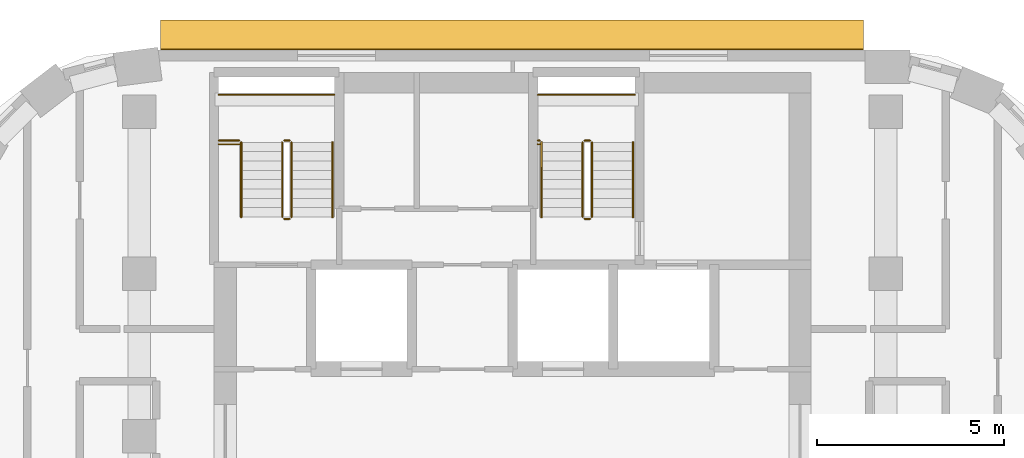
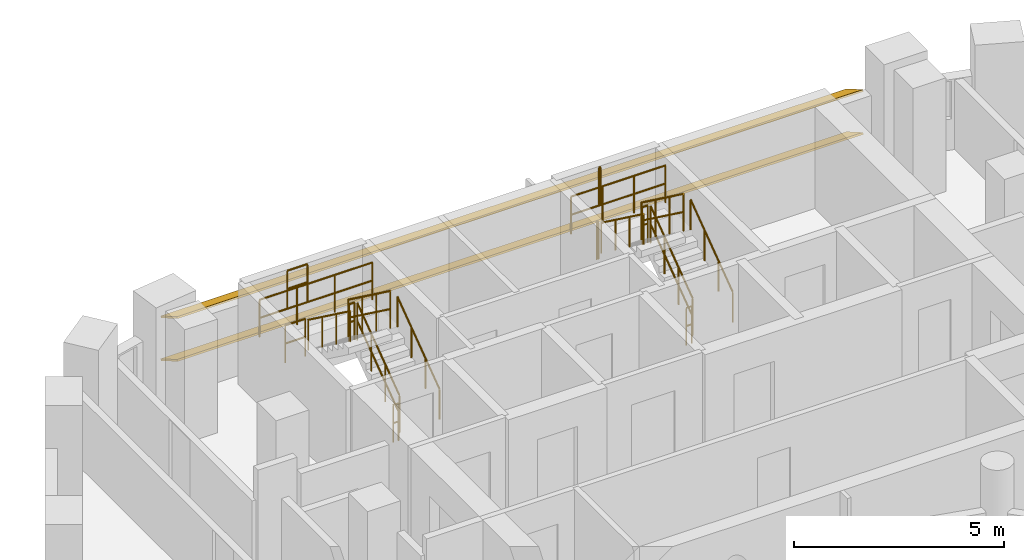
# One storey, part 15 of 15: 18 railings, 2 shading devices.
"""IFC4 building model written with IfcOpenShell, lengths in metres."""

from ifc_helpers import new_model, si_unit, direction, frame, origin, origin_2d, place, context, subcontext, project, spatial, rectangle, circle, extrude, material, material_profile, profile_set, type_object, element, save


model = new_model("IFC4")

# Units and contexts
model_context = context("Model", 3, precision=1e-05, world=origin(), true_north=direction((0.0, 1.0)))
body_context = subcontext(model_context, "Body", "Model", "MODEL_VIEW")
ifc_project = project(units=[si_unit("LENGTHUNIT", "METRE"), si_unit("AREAUNIT", "SQUARE_METRE"), si_unit("VOLUMEUNIT", "CUBIC_METRE"), si_unit("PLANEANGLEUNIT", "RADIAN"), si_unit("MASSUNIT", "GRAM", prefix="KILO")], contexts=[model_context])

# Site, building, storey
site_placement = place(None, origin())
site = spatial("IfcSite", under=ifc_project, at=site_placement, CompositionType="ELEMENT")
building_placement = place(site_placement, origin())
building = spatial("IfcBuilding", under=site, at=building_placement, Name="Nakaniwa Court", CompositionType="ELEMENT")
storey_placement = place(building_placement, frame((0.0, 0.0, 216.300048828125)))
storey = spatial("IfcBuildingStorey", under=building, at=storey_placement, Name="L57", CompositionType="ELEMENT", Elevation=216.300048828125)

# Shading devices
ifc_material_1 = material(Name="Perforated charcoal ceramic louvre blade")
ifc_material_profile = material_profile(ifc_material_1, rectangle(XDim=0.89990234375, YDim=0.050048828125, at=origin_2d()), Name="Perforated ceramic louvre blade")
ifc_profile_set = profile_set([ifc_material_profile], Name="Perforated charcoal ceramic louvre blade")
shading_device_type = type_object("IfcShadingDeviceType", Name="Perforated ceramic louvre blade", PredefinedType="JALOUSIE", material=ifc_profile_set)
for number, where, z_axis, x_axis, name in (
    (1, (89.3994140625, 103.05224609375, 0.550048828125), (-1.0, 0.0, 0.0), (0.0, -0.866025403784, 0.5), "L57 perforated ceramic louvre blade w08 1"),
    (2, (89.3994140625, 103.05224609375, 1.793212890625), (-1.0, 0.0, 0.0), (0.0, -0.866025403784, 0.5), "L57 perforated ceramic louvre blade w08 2"),
):
    element("IfcShadingDevice", number, at=place(storey_placement, frame(where, z_axis=z_axis, x_axis=x_axis)), inside=storey, type_object=shading_device_type, Name=name, PredefinedType="JALOUSIE", context=body_context, shape_type="SweptSolid", body=[
        extrude(rectangle(XDim=0.89990234375, YDim=0.050048828125, at=origin_2d()), origin(), (0.0, 0.0, 1.0), 18.8330078125),
    ])

# Railings
ifc_material_2 = material(Name="Black powder coated steel guard", Category="steel")
railing_type_1 = type_object("IfcRailingType", Name="Stair guard 1100", PredefinedType="GUARDRAIL", material=ifc_material_2)
railing_1_placement = place(storey_placement, frame((74.074951171875, 98.175048828125, 0.183349609375)))
element("IfcRailing", 3, at=railing_1_placement, inside=storey, type_object=railing_type_1, Name="L57 ST1 stair guard 1", PredefinedType="GUARDRAIL", context=body_context, shape_type="SweptSolid", body=[
    extrude(circle(Radius=0.02392578125, at=origin_2d()), frame((0.0, 0.0, 1.076171875), z_axis=(0.0, 0.806426902644, 0.591333789573), x_axis=(-1.0, 0.0, 0.0)), (0.0, 0.0, 1.0), 2.47998046875),
    extrude(circle(Radius=0.02392578125, at=origin_2d()), frame((0.0, 0.0, 0.550048828125), z_axis=(0.0, 0.806426902644, 0.591333789573), x_axis=(-1.0, 0.0, 0.0)), (0.0, 0.0, 1.0), 2.47998046875),
    extrude(circle(Radius=0.02099609375, at=origin_2d()), origin(), (0.0, 0.0, 1.0), 1.052001953125),
    extrude(circle(Radius=0.02099609375, at=origin_2d()), frame((0.0, 0.666748046875, 0.48876953125)), (0.0, 0.0, 1.0), 1.052001953125),
    extrude(circle(Radius=0.02099609375, at=origin_2d()), frame((0.0, 1.333251953125, 0.977783203125)), (0.0, 0.0, 1.0), 1.052001953125),
    extrude(circle(Radius=0.02099609375, at=origin_2d()), frame((0.0, 2.0, 1.466552734375)), (0.0, 0.0, 1.0), 1.052001953125),
])
railing_2_placement = place(storey_placement, frame((74.02490234375, 100.22509765625, 1.64990234375)))
element("IfcRailing", 4, at=railing_2_placement, inside=storey, type_object=railing_type_1, Name="L57 ST1 stair guard 2", PredefinedType="GUARDRAIL", context=body_context, shape_type="SweptSolid", body=[
    extrude(circle(Radius=0.02392578125, at=origin_2d()), frame((0.0, 0.0, 1.076171875), z_axis=(-1.0, 0.0, 0.0), x_axis=(0.0, -1.0, 0.0)), (0.0, 0.0, 1.0), 0.14990234375),
    extrude(circle(Radius=0.02392578125, at=origin_2d()), frame((0.0, 0.0, 0.550048828125), z_axis=(-1.0, 0.0, 0.0), x_axis=(0.0, -1.0, 0.0)), (0.0, 0.0, 1.0), 0.14990234375),
    extrude(circle(Radius=0.02099609375, at=origin_2d()), origin(), (0.0, 0.0, 1.0), 1.052001953125),
    extrude(circle(Radius=0.02099609375, at=origin_2d()), frame((-0.14990234375, 0.0, 0.0)), (0.0, 0.0, 1.0), 1.052001953125),
])
railing_3_placement = place(storey_placement, frame((73.824951171875, 100.175048828125, 1.833251953125)))
element("IfcRailing", 5, at=railing_3_placement, inside=storey, type_object=railing_type_1, Name="L57 ST1 stair guard 3", PredefinedType="GUARDRAIL", context=body_context, shape_type="SweptSolid", body=[
    extrude(circle(Radius=0.02392578125, at=origin_2d()), frame((0.0, 0.0, 1.076171875), z_axis=(0.0, -0.806379959628, 0.591397802423), x_axis=(1.0, 0.0, 0.0)), (0.0, 0.0, 1.0), 2.480224609375),
    extrude(circle(Radius=0.02392578125, at=origin_2d()), frame((0.0, 0.0, 0.550048828125), z_axis=(0.0, -0.806379959628, 0.591397802423), x_axis=(1.0, 0.0, 0.0)), (0.0, 0.0, 1.0), 2.480224609375),
    extrude(circle(Radius=0.02099609375, at=origin_2d()), origin(), (0.0, 0.0, 1.0), 1.052001953125),
    extrude(circle(Radius=0.02099609375, at=origin_2d()), frame((0.0, -0.666748046875, 0.489013671875)), (0.0, 0.0, 1.0), 1.052001953125),
    extrude(circle(Radius=0.02099609375, at=origin_2d()), frame((0.0, -1.333251953125, 0.977783203125)), (0.0, 0.0, 1.0), 1.052001953125),
    extrude(circle(Radius=0.02099609375, at=origin_2d()), frame((0.0, -2.0, 1.466796875)), (0.0, 0.0, 1.0), 1.052001953125),
])
railing_4_placement = place(storey_placement, frame((74.02490234375, 98.125, 0.0)))
element("IfcRailing", 6, at=railing_4_placement, inside=storey, type_object=railing_type_1, Name="L57 ST1 stair guard 4", PredefinedType="GUARDRAIL", context=body_context, shape_type="SweptSolid", body=[
    extrude(circle(Radius=0.02392578125, at=origin_2d()), frame((0.0, 0.0, 1.076171875), z_axis=(-1.0, 0.0, 0.0), x_axis=(0.0, -1.0, 0.0)), (0.0, 0.0, 1.0), 0.14990234375),
    extrude(circle(Radius=0.02392578125, at=origin_2d()), frame((0.0, 0.0, 0.550048828125), z_axis=(-1.0, 0.0, 0.0), x_axis=(0.0, -1.0, 0.0)), (0.0, 0.0, 1.0), 0.14990234375),
    extrude(circle(Radius=0.02099609375, at=origin_2d()), origin(), (0.0, 0.0, 1.0), 1.052001953125),
    extrude(circle(Radius=0.02099609375, at=origin_2d()), frame((-0.14990234375, 0.0, 0.0)), (0.0, 0.0, 1.0), 1.052001953125),
])
railing_5_placement = place(storey_placement, frame((72.125, 101.449951171875, 1.64990234375)))
element("IfcRailing", 7, at=railing_5_placement, inside=storey, type_object=railing_type_1, Name="L57 ST1 landing end guard 1", PredefinedType="GUARDRAIL", context=body_context, shape_type="SweptSolid", body=[
    extrude(circle(Radius=0.02392578125, at=origin_2d()), frame((0.0, 0.0, 1.076171875), z_axis=(1.0, 0.0, 0.0), x_axis=(0.0, 1.0, 0.0)), (0.0, 0.0, 1.0), 3.10009765625),
    extrude(circle(Radius=0.02392578125, at=origin_2d()), frame((0.0, 0.0, 0.550048828125), z_axis=(1.0, 0.0, 0.0), x_axis=(0.0, 1.0, 0.0)), (0.0, 0.0, 1.0), 3.10009765625),
    extrude(circle(Radius=0.02099609375, at=origin_2d()), origin(), (0.0, 0.0, 1.0), 1.052001953125),
    extrude(circle(Radius=0.02099609375, at=origin_2d()), frame((1.033447265625, 0.0, 0.0)), (0.0, 0.0, 1.0), 1.052001953125),
    extrude(circle(Radius=0.02099609375, at=origin_2d()), frame((2.066650390625, 0.0, 0.0)), (0.0, 0.0, 1.0), 1.052001953125),
    extrude(circle(Radius=0.02099609375, at=origin_2d()), frame((3.10009765625, 0.0, 0.0)), (0.0, 0.0, 1.0), 1.052001953125),
])
for number, where, name in (
    (8, (72.125, 100.22509765625, 1.64990234375), "L57 ST1 landing side guard 1W"),
    (9, (72.125, 100.125, 3.300048828125), "L57 ST1 floor edge guard 1W"),
):
    element("IfcRailing", number, at=place(storey_placement, frame(where)), inside=storey, type_object=railing_type_1, Name=name, PredefinedType="GUARDRAIL", context=body_context, shape_type="SweptSolid", body=[
        extrude(circle(Radius=0.02392578125, at=origin_2d()), frame((0.0, 0.0, 1.076171875), z_axis=(1.0, 0.0, 0.0), x_axis=(0.0, 1.0, 0.0)), (0.0, 0.0, 1.0), 0.550048828125),
        extrude(circle(Radius=0.02392578125, at=origin_2d()), frame((0.0, 0.0, 0.550048828125), z_axis=(1.0, 0.0, 0.0), x_axis=(0.0, 1.0, 0.0)), (0.0, 0.0, 1.0), 0.550048828125),
        extrude(circle(Radius=0.02099609375, at=origin_2d()), origin(), (0.0, 0.0, 1.0), 1.052001953125),
        extrude(circle(Radius=0.02099609375, at=origin_2d()), frame((0.550048828125, 0.0, 0.0)), (0.0, 0.0, 1.0), 1.052001953125),
    ])
railing_6_placement = place(storey_placement, frame((82.125, 98.175048828125, 0.183349609375)))
element("IfcRailing", 10, at=railing_6_placement, inside=storey, type_object=railing_type_1, Name="L57 ST2 stair guard 1", PredefinedType="GUARDRAIL", context=body_context, shape_type="SweptSolid", body=[
    extrude(circle(Radius=0.02392578125, at=origin_2d()), frame((0.0, 0.0, 1.076171875), z_axis=(0.0, 0.806426902644, 0.591333789573), x_axis=(-1.0, 0.0, 0.0)), (0.0, 0.0, 1.0), 2.47998046875),
    extrude(circle(Radius=0.02392578125, at=origin_2d()), frame((0.0, 0.0, 0.550048828125), z_axis=(0.0, 0.806426902644, 0.591333789573), x_axis=(-1.0, 0.0, 0.0)), (0.0, 0.0, 1.0), 2.47998046875),
    extrude(circle(Radius=0.02099609375, at=origin_2d()), origin(), (0.0, 0.0, 1.0), 1.052001953125),
    extrude(circle(Radius=0.02099609375, at=origin_2d()), frame((0.0, 0.666748046875, 0.48876953125)), (0.0, 0.0, 1.0), 1.052001953125),
    extrude(circle(Radius=0.02099609375, at=origin_2d()), frame((0.0, 1.333251953125, 0.977783203125)), (0.0, 0.0, 1.0), 1.052001953125),
    extrude(circle(Radius=0.02099609375, at=origin_2d()), frame((0.0, 2.0, 1.466552734375)), (0.0, 0.0, 1.0), 1.052001953125),
])
railing_7_placement = place(storey_placement, frame((82.074951171875, 100.22509765625, 1.64990234375)))
element("IfcRailing", 11, at=railing_7_placement, inside=storey, type_object=railing_type_1, Name="L57 ST2 stair guard 2", PredefinedType="GUARDRAIL", context=body_context, shape_type="SweptSolid", body=[
    extrude(circle(Radius=0.02392578125, at=origin_2d()), frame((0.0, 0.0, 1.076171875), z_axis=(-1.0, 0.0, 0.0), x_axis=(0.0, -1.0, 0.0)), (0.0, 0.0, 1.0), 0.14990234375),
    extrude(circle(Radius=0.02392578125, at=origin_2d()), frame((0.0, 0.0, 0.550048828125), z_axis=(-1.0, 0.0, 0.0), x_axis=(0.0, -1.0, 0.0)), (0.0, 0.0, 1.0), 0.14990234375),
    extrude(circle(Radius=0.02099609375, at=origin_2d()), origin(), (0.0, 0.0, 1.0), 1.052001953125),
    extrude(circle(Radius=0.02099609375, at=origin_2d()), frame((-0.14990234375, 0.0, 0.0)), (0.0, 0.0, 1.0), 1.052001953125),
])
railing_8_placement = place(storey_placement, frame((81.875, 100.175048828125, 1.833251953125)))
element("IfcRailing", 12, at=railing_8_placement, inside=storey, type_object=railing_type_1, Name="L57 ST2 stair guard 3", PredefinedType="GUARDRAIL", context=body_context, shape_type="SweptSolid", body=[
    extrude(circle(Radius=0.02392578125, at=origin_2d()), frame((0.0, 0.0, 1.076171875), z_axis=(0.0, -0.806379959628, 0.591397802423), x_axis=(1.0, 0.0, 0.0)), (0.0, 0.0, 1.0), 2.480224609375),
    extrude(circle(Radius=0.02392578125, at=origin_2d()), frame((0.0, 0.0, 0.550048828125), z_axis=(0.0, -0.806379959628, 0.591397802423), x_axis=(1.0, 0.0, 0.0)), (0.0, 0.0, 1.0), 2.480224609375),
    extrude(circle(Radius=0.02099609375, at=origin_2d()), origin(), (0.0, 0.0, 1.0), 1.052001953125),
    extrude(circle(Radius=0.02099609375, at=origin_2d()), frame((0.0, -0.666748046875, 0.489013671875)), (0.0, 0.0, 1.0), 1.052001953125),
    extrude(circle(Radius=0.02099609375, at=origin_2d()), frame((0.0, -1.333251953125, 0.977783203125)), (0.0, 0.0, 1.0), 1.052001953125),
    extrude(circle(Radius=0.02099609375, at=origin_2d()), frame((0.0, -2.0, 1.466796875)), (0.0, 0.0, 1.0), 1.052001953125),
])
railing_9_placement = place(storey_placement, frame((82.074951171875, 98.125, 0.0)))
element("IfcRailing", 13, at=railing_9_placement, inside=storey, type_object=railing_type_1, Name="L57 ST2 stair guard 4", PredefinedType="GUARDRAIL", context=body_context, shape_type="SweptSolid", body=[
    extrude(circle(Radius=0.02392578125, at=origin_2d()), frame((0.0, 0.0, 1.076171875), z_axis=(-1.0, 0.0, 0.0), x_axis=(0.0, -1.0, 0.0)), (0.0, 0.0, 1.0), 0.14990234375),
    extrude(circle(Radius=0.02392578125, at=origin_2d()), frame((0.0, 0.0, 0.550048828125), z_axis=(-1.0, 0.0, 0.0), x_axis=(0.0, -1.0, 0.0)), (0.0, 0.0, 1.0), 0.14990234375),
    extrude(circle(Radius=0.02099609375, at=origin_2d()), origin(), (0.0, 0.0, 1.0), 1.052001953125),
    extrude(circle(Radius=0.02099609375, at=origin_2d()), frame((-0.14990234375, 0.0, 0.0)), (0.0, 0.0, 1.0), 1.052001953125),
])
railing_10_placement = place(storey_placement, frame((80.675048828125, 101.449951171875, 1.64990234375)))
element("IfcRailing", 14, at=railing_10_placement, inside=storey, type_object=railing_type_1, Name="L57 ST2 landing end guard 1", PredefinedType="GUARDRAIL", context=body_context, shape_type="SweptSolid", body=[
    extrude(circle(Radius=0.02392578125, at=origin_2d()), frame((0.0, 0.0, 1.076171875), z_axis=(1.0, 0.0, 0.0), x_axis=(0.0, 1.0, 0.0)), (0.0, 0.0, 1.0), 2.599853515625),
    extrude(circle(Radius=0.02392578125, at=origin_2d()), frame((0.0, 0.0, 0.550048828125), z_axis=(1.0, 0.0, 0.0), x_axis=(0.0, 1.0, 0.0)), (0.0, 0.0, 1.0), 2.599853515625),
    extrude(circle(Radius=0.02099609375, at=origin_2d()), origin(), (0.0, 0.0, 1.0), 1.052001953125),
    extrude(circle(Radius=0.02099609375, at=origin_2d()), frame((0.86669921875, 0.0, 0.0)), (0.0, 0.0, 1.0), 1.052001953125),
    extrude(circle(Radius=0.02099609375, at=origin_2d()), frame((1.733154296875, 0.0, 0.0)), (0.0, 0.0, 1.0), 1.052001953125),
    extrude(circle(Radius=0.02099609375, at=origin_2d()), frame((2.599853515625, 0.0, 0.0)), (0.0, 0.0, 1.0), 1.052001953125),
])
for number, where, name in (
    (15, (80.675048828125, 100.22509765625, 1.64990234375), "L57 ST2 landing side guard 1W"),
    (16, (80.675048828125, 100.125, 3.300048828125), "L57 ST2 floor edge guard 1W"),
):
    element("IfcRailing", number, at=place(storey_placement, frame(where)), inside=storey, type_object=railing_type_1, Name=name, PredefinedType="GUARDRAIL", context=body_context, shape_type="SweptSolid", body=[
        extrude(circle(Radius=0.02392578125, at=origin_2d()), frame((0.0, 0.0, 1.076171875), z_axis=(1.0, 0.0, 0.0), x_axis=(0.0, 1.0, 0.0)), (0.0, 0.0, 1.0), 0.050048828125),
        extrude(circle(Radius=0.02392578125, at=origin_2d()), frame((0.0, 0.0, 0.550048828125), z_axis=(1.0, 0.0, 0.0), x_axis=(0.0, 1.0, 0.0)), (0.0, 0.0, 1.0), 0.050048828125),
        extrude(circle(Radius=0.02099609375, at=origin_2d()), origin(), (0.0, 0.0, 1.0), 1.052001953125),
        extrude(circle(Radius=0.02099609375, at=origin_2d()), frame((0.050048828125, 0.0, 0.0)), (0.0, 0.0, 1.0), 1.052001953125),
    ])
ifc_material_3 = material(Name="Black powder coated steel handrail", Category="steel")
railing_type_2 = type_object("IfcRailingType", Name="Stair handrail 900", PredefinedType="HANDRAIL", material=ifc_material_3)
railing_11_placement = place(storey_placement, frame((75.175048828125, 98.175048828125, 0.183349609375)))
element("IfcRailing", 17, at=railing_11_placement, inside=storey, type_object=railing_type_2, Name="L57 ST1 stair handrail 1", PredefinedType="HANDRAIL", context=body_context, shape_type="SweptSolid", body=[
    extrude(circle(Radius=0.02392578125, at=origin_2d()), frame((0.0, 0.0, 0.8759765625), z_axis=(0.0, 0.806426902644, 0.591333789573), x_axis=(-1.0, 0.0, 0.0)), (0.0, 0.0, 1.0), 2.47998046875),
    extrude(circle(Radius=0.02099609375, at=origin_2d()), origin(), (0.0, 0.0, 1.0), 0.851806640625),
    extrude(circle(Radius=0.02099609375, at=origin_2d()), frame((0.0, 0.666748046875, 0.48876953125)), (0.0, 0.0, 1.0), 0.851806640625),
    extrude(circle(Radius=0.02099609375, at=origin_2d()), frame((0.0, 1.333251953125, 0.977783203125)), (0.0, 0.0, 1.0), 0.851806640625),
    extrude(circle(Radius=0.02099609375, at=origin_2d()), frame((0.0, 2.0, 1.466552734375)), (0.0, 0.0, 1.0), 0.851806640625),
])
railing_12_placement = place(storey_placement, frame((72.72509765625, 100.175048828125, 1.833251953125)))
element("IfcRailing", 18, at=railing_12_placement, inside=storey, type_object=railing_type_2, Name="L57 ST1 stair handrail 2", PredefinedType="HANDRAIL", context=body_context, shape_type="SweptSolid", body=[
    extrude(circle(Radius=0.02392578125, at=origin_2d()), frame((0.0, 0.0, 0.8759765625), z_axis=(0.0, -0.806379959628, 0.591397802423), x_axis=(1.0, 0.0, 0.0)), (0.0, 0.0, 1.0), 2.480224609375),
    extrude(circle(Radius=0.02099609375, at=origin_2d()), origin(), (0.0, 0.0, 1.0), 0.851806640625),
    extrude(circle(Radius=0.02099609375, at=origin_2d()), frame((0.0, -0.666748046875, 0.489013671875)), (0.0, 0.0, 1.0), 0.851806640625),
    extrude(circle(Radius=0.02099609375, at=origin_2d()), frame((0.0, -1.333251953125, 0.977783203125)), (0.0, 0.0, 1.0), 0.851806640625),
    extrude(circle(Radius=0.02099609375, at=origin_2d()), frame((0.0, -2.0, 1.466796875)), (0.0, 0.0, 1.0), 0.851806640625),
])
railing_13_placement = place(storey_placement, frame((83.22509765625, 98.175048828125, 0.183349609375)))
element("IfcRailing", 19, at=railing_13_placement, inside=storey, type_object=railing_type_2, Name="L57 ST2 stair handrail 1", PredefinedType="HANDRAIL", context=body_context, shape_type="SweptSolid", body=[
    extrude(circle(Radius=0.02392578125, at=origin_2d()), frame((0.0, 0.0, 0.8759765625), z_axis=(0.0, 0.806426902644, 0.591333789573), x_axis=(-1.0, 0.0, 0.0)), (0.0, 0.0, 1.0), 2.47998046875),
    extrude(circle(Radius=0.02099609375, at=origin_2d()), origin(), (0.0, 0.0, 1.0), 0.851806640625),
    extrude(circle(Radius=0.02099609375, at=origin_2d()), frame((0.0, 0.666748046875, 0.48876953125)), (0.0, 0.0, 1.0), 0.851806640625),
    extrude(circle(Radius=0.02099609375, at=origin_2d()), frame((0.0, 1.333251953125, 0.977783203125)), (0.0, 0.0, 1.0), 0.851806640625),
    extrude(circle(Radius=0.02099609375, at=origin_2d()), frame((0.0, 2.0, 1.466552734375)), (0.0, 0.0, 1.0), 0.851806640625),
])
railing_14_placement = place(storey_placement, frame((80.77490234375, 100.175048828125, 1.833251953125)))
element("IfcRailing", 20, at=railing_14_placement, inside=storey, type_object=railing_type_2, Name="L57 ST2 stair handrail 2", PredefinedType="HANDRAIL", context=body_context, shape_type="SweptSolid", body=[
    extrude(circle(Radius=0.02392578125, at=origin_2d()), frame((0.0, 0.0, 0.8759765625), z_axis=(0.0, -0.806379959628, 0.591397802423), x_axis=(1.0, 0.0, 0.0)), (0.0, 0.0, 1.0), 2.480224609375),
    extrude(circle(Radius=0.02099609375, at=origin_2d()), origin(), (0.0, 0.0, 1.0), 0.851806640625),
    extrude(circle(Radius=0.02099609375, at=origin_2d()), frame((0.0, -0.666748046875, 0.489013671875)), (0.0, 0.0, 1.0), 0.851806640625),
    extrude(circle(Radius=0.02099609375, at=origin_2d()), frame((0.0, -1.333251953125, 0.977783203125)), (0.0, 0.0, 1.0), 0.851806640625),
    extrude(circle(Radius=0.02099609375, at=origin_2d()), frame((0.0, -2.0, 1.466796875)), (0.0, 0.0, 1.0), 0.851806640625),
])

save(model, "model.ifc")
